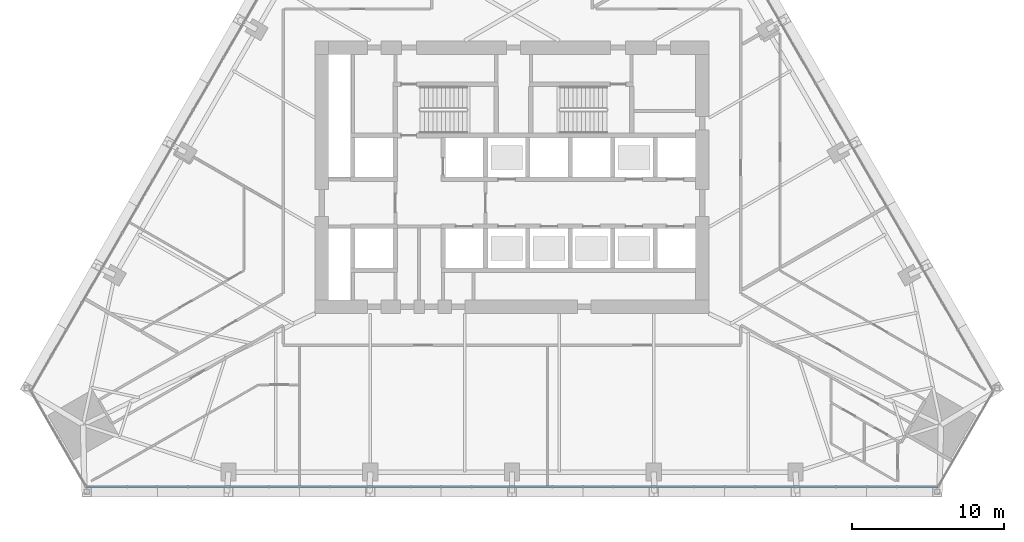
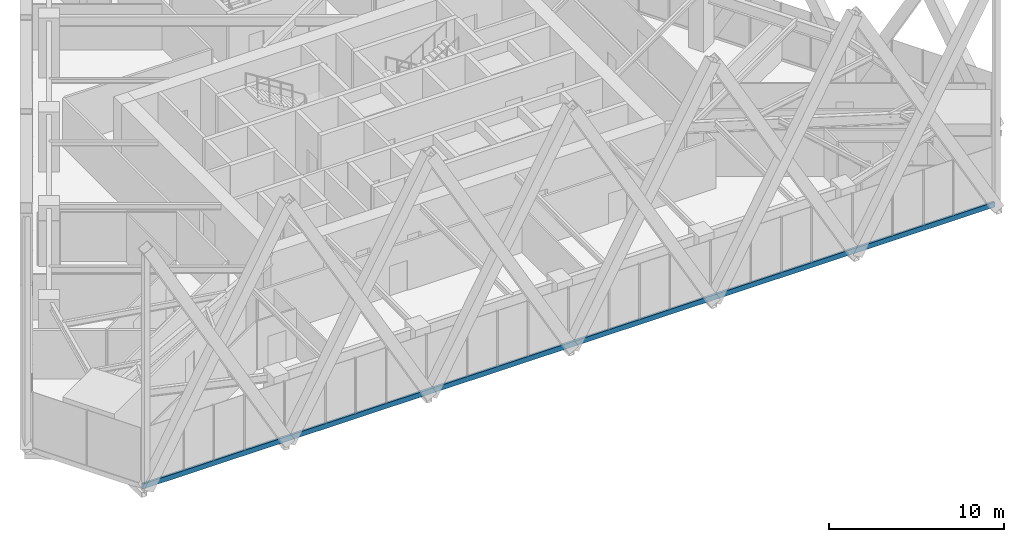
# One storey, part 6 of 21: 1 member, 1 element without a shape of its own.
"""IFC4 building model written with IfcOpenShell, lengths in metres."""

from ifc_helpers import new_model, si_unit, direction, frame, origin, origin_2d, place, context, subcontext, project, spatial, rectangle, extrude, material, layer, layer_set, material_profile, profile_set, type_object, element, aggregate, save


model = new_model("IFC4")

# Units and contexts
model_context = context("Model", 3, precision=1e-05, world=origin(), true_north=direction((0.0, 1.0)))
body_context = subcontext(model_context, "Body", "Model", "MODEL_VIEW")
ifc_project = project(units=[si_unit("LENGTHUNIT", "METRE"), si_unit("AREAUNIT", "SQUARE_METRE"), si_unit("VOLUMEUNIT", "CUBIC_METRE"), si_unit("PLANEANGLEUNIT", "RADIAN"), si_unit("MASSUNIT", "GRAM", prefix="KILO")], contexts=[model_context])

# Site, building, storey
site_placement = place(None, origin())
site = spatial("IfcSite", under=ifc_project, at=site_placement, CompositionType="ELEMENT")
building_placement = place(site_placement, origin())
building = spatial("IfcBuilding", under=site, at=building_placement, Name="Firuza Gate Tower and Library", CompositionType="ELEMENT")
storey_placement = place(building_placement, frame((0.0, 0.0, 107.199951171875)))
storey = spatial("IfcBuildingStorey", under=building, at=storey_placement, Name="L24", CompositionType="ELEMENT", Elevation=107.199951171875)

# Curtain wall, member
ifc_material_1 = material(Name="Aluminium 6063-T6", Category="aluminium")
ifc_layer = layer(ifc_material_1, 0.14990234375)
ifc_layer_set = layer_set([ifc_layer], Name="Unitised curtain wall, offices")
curtain_wall_type = type_object("IfcCurtainWallType", Name="Unitised curtain wall, offices", PredefinedType="NOTDEFINED", material=ifc_layer_set)
curtain_wall_placement = place(storey_placement, origin())
curtain_wall = element("IfcCurtainWall", 1, at=curtain_wall_placement, inside=storey, type_object=curtain_wall_type, Name="CW1 L24 S face", PredefinedType="NOTDEFINED")
ifc_material_2 = material(Name="Aluminium 6063-T6", Category="aluminium")
ifc_material_profile = material_profile(ifc_material_2, rectangle(XDim=0.14990234375, YDim=0.35009765625, at=origin_2d()))
ifc_profile_set = profile_set([ifc_material_profile], Name="Aluminium 6063-T6")
member_type = type_object("IfcMemberType", Name="Curtain wall transom 350x150", PredefinedType="USERDEFINED", material=ifc_profile_set)
member_placement = place(storey_placement, frame((46.89404296875, 54.566162109375, -0.02490234375), z_axis=(1.0, 0.0, 0.0), x_axis=(0.0, 1.0, 0.0)))
member = element("IfcMember", 2, at=member_placement, type_object=member_type, Name="Transom", ObjectType="TRANSOM", PredefinedType="USERDEFINED", context=body_context, shape_type="SweptSolid", body=[
    extrude(rectangle(XDim=0.14990234375, YDim=0.35009765625, at=origin_2d()), origin(), (0.0, 0.0, 1.0), 56.2119140625),
])
aggregate(curtain_wall, [member])

save(model, "model.ifc")
